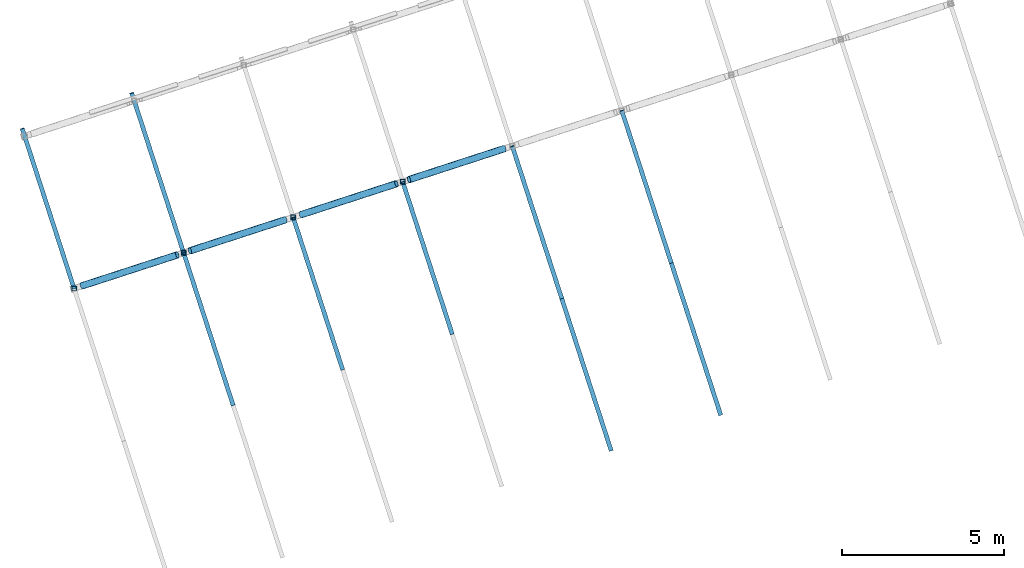
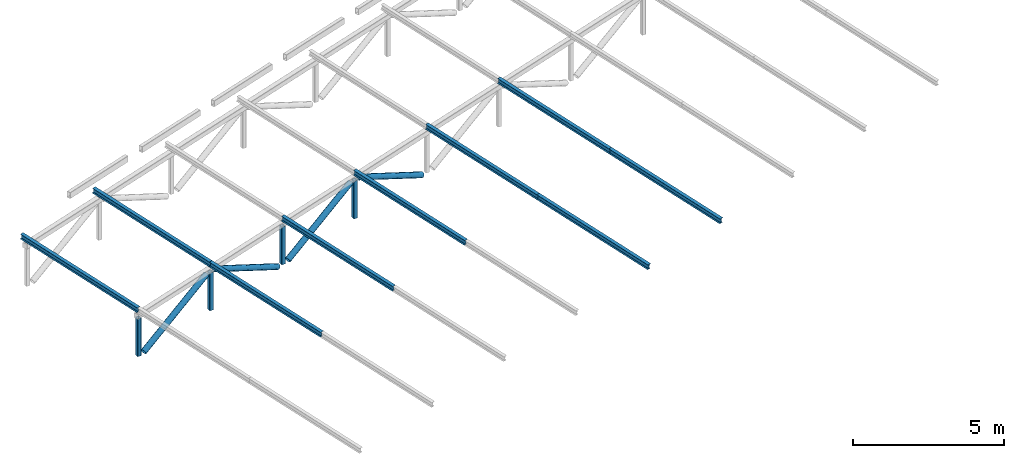
# One storey, part 2 of 43: 17 members.
"""IFC4 building model written with IfcOpenShell, lengths in metres."""

from ifc_helpers import new_model, si_unit, direction, frame, origin, origin_2d, place, context, subcontext, project, spatial, hollow_rectangle, hollow_circle, i_section, extrude, material, material_profile, profile_set, type_object, element, save


model = new_model("IFC4")

# Units and contexts
model_context = context("Model", 3, precision=1e-05, world=origin(), true_north=direction((0.0, 1.0)))
body_context = subcontext(model_context, "Body", "Model", "MODEL_VIEW")
ifc_project = project(units=[si_unit("LENGTHUNIT", "METRE"), si_unit("AREAUNIT", "SQUARE_METRE"), si_unit("VOLUMEUNIT", "CUBIC_METRE"), si_unit("PLANEANGLEUNIT", "RADIAN"), si_unit("MASSUNIT", "GRAM", prefix="KILO")], contexts=[model_context])

# Site, building, storey
site_placement = place(None, origin())
site = spatial("IfcSite", under=ifc_project, at=site_placement, CompositionType="ELEMENT")
building_placement = place(site_placement, origin())
building = spatial("IfcBuilding", under=site, at=building_placement, Name="Tuart Plaza Theatre", CompositionType="ELEMENT")
storey_placement = place(building_placement, frame((0.0, 0.0, 33.5)))
storey = spatial("IfcBuildingStorey", under=building, at=storey_placement, Name="L08", CompositionType="ELEMENT", Elevation=33.5)

# Members
ifc_material_1 = material(Name="Steel Grade C350L0", Category="steel")
ifc_material_profile_1 = material_profile(ifc_material_1, hollow_circle(Radius=0.109619140625, WallThickness=0.00830078125, at=origin_2d()), Name="219.1x8.2 CHS")
ifc_profile_set_1 = profile_set([ifc_material_profile_1], Name="Steel Grade C350L0")
member_type_1 = type_object("IfcMemberType", Name="MEMBER Brace 219.1x8.2 CHS", PredefinedType="BRACE", material=ifc_profile_set_1)
for number, where, z_axis, x_axis, name in (
    (1, (37.181640625, 83.1005859375, -0.659423828125), (0.853572626097, 0.277345791654, 0.441013700273), (-0.30902025289, 0.951055457533, 0.0), "BR79"),
    (2, (40.520263671875, 84.185302734375, 0.865478515625), (0.853572626097, 0.277345791654, -0.441013700273), (-0.30902025289, 0.951055457533, 0.0), "BR80"),
    (3, (43.955322265625, 85.301513671875, -0.659423828125), (0.853572626097, 0.277345791654, 0.441013700273), (-0.30902025289, 0.951055457533, 0.0), "BR81"),
):
    element("IfcMember", number, at=place(storey_placement, frame(where, z_axis=z_axis, x_axis=x_axis)), inside=storey, type_object=member_type_1, Name=name, PredefinedType="BRACE", context=body_context, shape_type="SweptSolid", body=[
        extrude(hollow_circle(Radius=0.109619140625, WallThickness=0.00830078125, at=origin_2d()), origin(), (0.0, 0.0, 1.0), 3.457763671875),
    ])
member_1_placement = place(storey_placement, frame((47.2939453125, 86.38623046875, 0.865478515625), z_axis=(0.853553460549, 0.277362507697, -0.441040280823), x_axis=(-0.309043375616, 0.951047944106, 0.0)))
element("IfcMember", 4, at=member_1_placement, inside=storey, type_object=member_type_1, Name="BR82", PredefinedType="BRACE", context=body_context, shape_type="SweptSolid", body=[
    extrude(hollow_circle(Radius=0.109619140625, WallThickness=0.00830078125, at=origin_2d()), origin(), (0.0, 0.0, 1.0), 3.45751953125),
])
ifc_material_2 = material(Name="Steel Grade C350L0", Category="steel")
ifc_material_profile_2 = material_profile(ifc_material_2, hollow_rectangle(XDim=0.14990234375, YDim=0.14990234375, WallThickness=0.009033203125, InnerFilletRadius=0.009033203125, OuterFilletRadius=0.01806640625, at=origin_2d()), Name="150x150x9 SHS")
ifc_profile_set_2 = profile_set([ifc_material_profile_2], Name="Steel Grade C350L0")
member_type_2 = type_object("IfcMemberType", Name="MEMBER Post 150x150x9 SHS", PredefinedType="POST", material=ifc_profile_set_2)
for number, where, z_axis, x_axis, name in (
    (5, (36.939697265625, 83.02197265625, -0.659423828125), (0.0, 0.0, 1.0), (1.0, 0.0, 0.0), "PO90"),
    (6, (40.32666015625, 84.122314453125, -0.659423828125), (0.0, 0.0, 1.0), (1.0, 0.0, 0.0), "PO91"),
    (7, (43.71337890625, 85.222900390625, -0.659423828125), (0.0, 0.0, 1.0), (1.0, 0.0, 0.0), "PO92"),
    (8, (47.100341796875, 86.3232421875, -0.659423828125), (0.0, 0.0, 1.0), (1.0, 0.0, 0.0), "PO93"),
):
    element("IfcMember", number, at=place(storey_placement, frame(where, z_axis=z_axis, x_axis=x_axis)), inside=storey, type_object=member_type_2, Name=name, PredefinedType="POST", context=body_context, shape_type="SweptSolid", body=[
        extrude(hollow_rectangle(XDim=0.14990234375, YDim=0.14990234375, WallThickness=0.009033203125, InnerFilletRadius=0.009033203125, OuterFilletRadius=0.01806640625, at=origin_2d()), origin(), (0.0, 0.0, 1.0), 1.52490234375),
    ])
ifc_material_3 = material(Name="Steel Grade 300", Category="steel")
ifc_material_profile_3 = material_profile(ifc_material_3, i_section(OverallWidth=0.133056640625, OverallDepth=0.202880859375, WebThickness=0.005859375, FlangeThickness=0.0078125, FilletRadius=0.0087890625, at=origin_2d()), Name="200UB25.4")
ifc_profile_set_3 = profile_set([ifc_material_profile_3], Name="Steel Grade 300")
member_type_3 = type_object("IfcMemberType", Name="MEMBER Purlin 200UB25.4", PredefinedType="PURLIN", material=ifc_profile_set_3)
member_2_placement = place(storey_placement, frame((36.939697265625, 83.02197265625, 1.17822265625), z_axis=(-0.307287181095, 0.945861788092, 0.10449912039), x_axis=(-0.951068910357, -0.308978846772, 0.0)))
element("IfcMember", 9, at=member_2_placement, inside=storey, type_object=member_type_3, Name="PU82", PredefinedType="PURLIN", context=body_context, shape_type="SweptSolid", body=[
    extrude(i_section(OverallWidth=0.133056640625, OverallDepth=0.202880859375, WebThickness=0.005859375, FlangeThickness=0.0078125, FilletRadius=0.0087890625, at=origin_2d()), origin(), (0.0, 0.0, 1.0), 5.228515625),
])
member_3_placement = place(storey_placement, frame((41.856201171875, 79.41455078125, 0.65771484375), z_axis=(-0.30730368537, 0.945847879488, 0.104576449674), x_axis=(-0.951062698329, -0.308997967382, 0.0)))
element("IfcMember", 10, at=member_3_placement, inside=storey, type_object=member_type_3, Name="PU85", PredefinedType="PURLIN", context=body_context, shape_type="SweptSolid", body=[
    extrude(i_section(OverallWidth=0.133056640625, OverallDepth=0.202880859375, WebThickness=0.005859375, FlangeThickness=0.0078125, FilletRadius=0.0087890625, at=origin_2d()), origin(), (0.0, 0.0, 1.0), 4.977294921875),
])
member_4_placement = place(storey_placement, frame((40.32666015625, 84.122314453125, 1.17822265625), z_axis=(-0.307329464254, 0.945848215952, 0.104497620936), x_axis=(-0.951055112834, -0.309021313752, 0.0)))
element("IfcMember", 11, at=member_4_placement, inside=storey, type_object=member_type_3, Name="PU86", PredefinedType="PURLIN", context=body_context, shape_type="SweptSolid", body=[
    extrude(i_section(OverallWidth=0.133056640625, OverallDepth=0.202880859375, WebThickness=0.005859375, FlangeThickness=0.0078125, FilletRadius=0.0087890625, at=origin_2d()), origin(), (0.0, 0.0, 1.0), 5.228759765625),
])
for number, where, z_axis, x_axis, name in (
    (12, (45.2431640625, 80.51513671875, 0.65771484375), (-0.307348103087, 0.945833621423, 0.10457487325), (-0.951048203135, -0.309042578481, 0.0), "PU89"),
    (13, (48.6298828125, 81.615478515625, 0.65771484375), (-0.30730368537, 0.945847879488, 0.104576449674), (-0.951062698329, -0.308997967382, 0.0), "PU93"),
    (14, (53.54638671875, 78.00830078125, 0.137451171875), (-0.307305261347, 0.945852730176, 0.104527934865), (-0.951062698329, -0.308997967382, 0.0), "PU96"),
    (15, (52.016845703125, 82.716064453125, 0.65771484375), (-0.307348103087, 0.945833621423, 0.10457487325), (-0.951048203135, -0.309042578481, 0.0), "PU97"),
    (16, (56.933349609375, 79.108642578125, 0.137451171875), (-0.307349679245, 0.945838471891, 0.104526359156), (-0.951048203135, -0.309042578481, 0.0), "PU100"),
    (17, (55.403564453125, 83.81640625, 0.65771484375), (-0.30730368537, 0.945847879488, 0.104576449674), (-0.951062698329, -0.308997967382, 0.0), "PU101"),
):
    element("IfcMember", number, at=place(storey_placement, frame(where, z_axis=z_axis, x_axis=x_axis)), inside=storey, type_object=member_type_3, Name=name, PredefinedType="PURLIN", context=body_context, shape_type="SweptSolid", body=[
        extrude(i_section(OverallWidth=0.133056640625, OverallDepth=0.202880859375, WebThickness=0.005859375, FlangeThickness=0.0078125, FilletRadius=0.0087890625, at=origin_2d()), origin(), (0.0, 0.0, 1.0), 4.977294921875),
    ])

save(model, "model.ifc")
